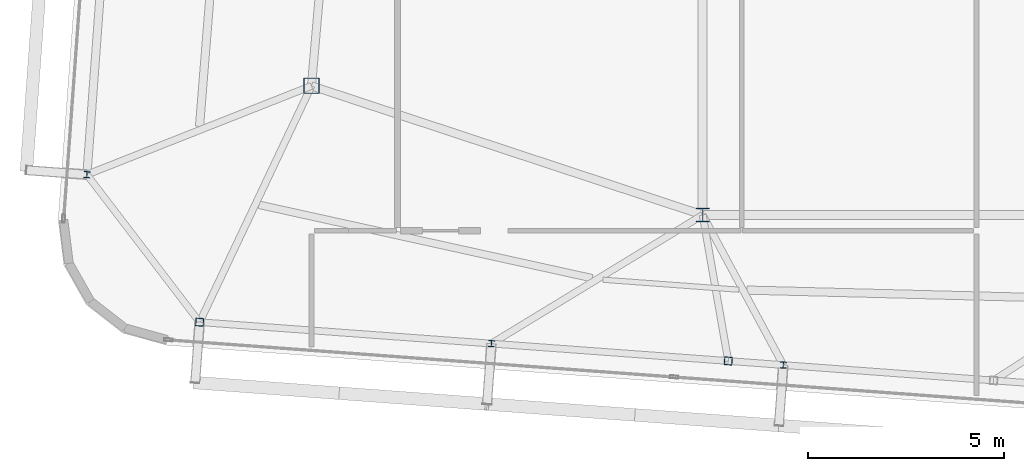
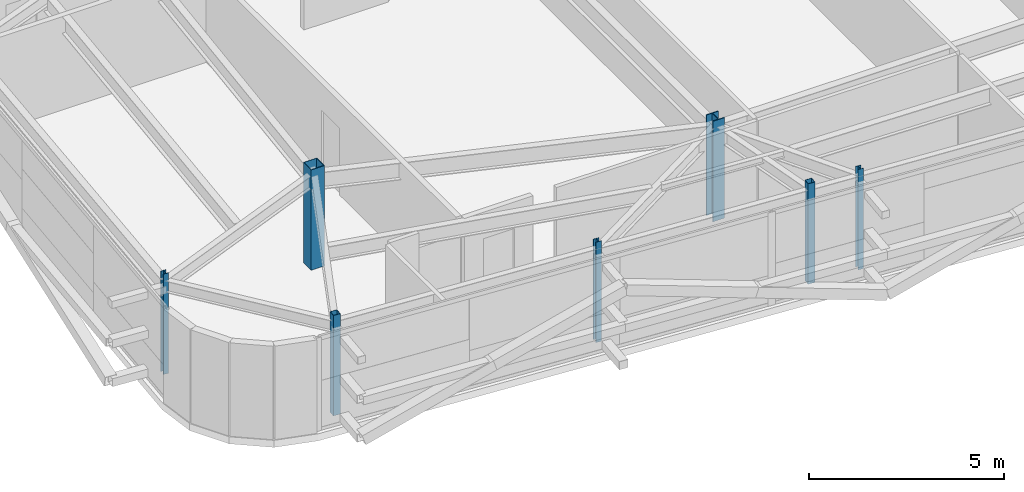
# One storey, part 1 of 34: 7 columns.
"""IFC4 building model written with IfcOpenShell, lengths in metres."""

import ifcopenshell
import ifcopenshell.guid

model = None  # the IFC model being written
_history = None  # IfcOwnerHistory: only IFC2X3 demands one
_inside = {}  # id of a spatial element -> (the spatial element, [elements in it])
_under = {}  # id of a project, library or spatial element -> (it, [spatial elements below it])
_declared = {}  # id of a project -> (the project, [libraries it declares])
_typed = {}  # id of a type object -> (the type object, [elements of that type])
_made_of = {}  # id of a material, layer set ... -> (it, [elements and type objects made of it])


def new_model(schema):
    """Start an empty IFC model of exactly this schema.

    Asked for "IFC4X3", IfcOpenShell would pick the latest addendum, in which some entities
    have other attributes; the version numbers below select the first issue.
    IFC2X3 requires an IfcOwnerHistory on every rooted entity: one is made here for all.
    """
    global model, _history
    if schema == "IFC4X3":
        model = ifcopenshell.file(schema_version=(4, 3, 0, 0))
    else:
        model = ifcopenshell.file(schema=schema)
    _inside.clear()
    _under.clear()
    _declared.clear()
    _typed.clear()
    _made_of.clear()
    _history = None
    if model.schema == "IFC2X3":
        org = make("IfcOrganization", Name="unknown")
        user = make(
            "IfcPersonAndOrganization",
            ThePerson=make("IfcPerson", FamilyName="unknown"),
            TheOrganization=org,
        )
        app = make(
            "IfcApplication",
            ApplicationDeveloper=org,
            Version="unknown",
            ApplicationFullName="unknown",
            ApplicationIdentifier="unknown",
        )
        _history = make(
            "IfcOwnerHistory",
            OwningUser=user,
            OwningApplication=app,
            ChangeAction="ADDED",
            CreationDate=0,
        )
    return model


def make(cls, **values):
    """One entity of the class cls with the attributes given. An attribute that is None is left unset."""
    return model.create_entity(
        cls, **{name: value for name, value in values.items() if value is not None}
    )


def rooted(cls, **values):
    """An entity with a GlobalId (a new one), such as an element, a storey or a relation."""
    return make(cls, GlobalId=ifcopenshell.guid.new(), OwnerHistory=_history, **values)


def si_unit(unit_type, name, prefix=None):
    """IfcSIUnit, for example si_unit("LENGTHUNIT", "METRE", prefix="MILLI")."""
    return make("IfcSIUnit", UnitType=unit_type, Prefix=prefix, Name=name)


def assignment(units):
    """IfcUnitAssignment: the units of a project."""
    return None if units is None else make("IfcUnitAssignment", Units=units)


def point(xyz):
    """IfcCartesianPoint."""
    return None if xyz is None else make("IfcCartesianPoint", Coordinates=xyz)


def direction(xyz):
    """IfcDirection."""
    return None if xyz is None else make("IfcDirection", DirectionRatios=xyz)


def frame(location, z_axis=None, x_axis=None):
    """IfcAxis2Placement3D, a coordinate frame: its origin and axes. An axis left out is left unset."""
    return make(
        "IfcAxis2Placement3D",
        Location=point(location),
        Axis=direction(z_axis),
        RefDirection=direction(x_axis),
    )


def frame_2d(location, x_axis=None):
    """IfcAxis2Placement2D, a coordinate frame in the plane: its origin and x axis."""
    return make(
        "IfcAxis2Placement2D", Location=point(location), RefDirection=direction(x_axis)
    )


def origin():
    """The frame at (0, 0, 0) with its axes left unset."""
    return frame((0.0, 0.0, 0.0))


def origin_2d():
    """The frame at (0, 0) in the plane with its x axis left unset."""
    return frame_2d((0.0, 0.0))


def place(relative_to, where):
    """IfcLocalPlacement: puts the frame where relative to a parent placement (None: the world)."""
    return make(
        "IfcLocalPlacement", PlacementRelTo=relative_to, RelativePlacement=where
    )


def context(
    kind, dimensions, precision=None, world=None, true_north=None, identifier=None
):
    """IfcGeometricRepresentationContext, for example the 3D "Model" context."""
    return make(
        "IfcGeometricRepresentationContext",
        ContextIdentifier=identifier,
        ContextType=kind,
        CoordinateSpaceDimension=dimensions,
        Precision=precision,
        WorldCoordinateSystem=world,
        TrueNorth=true_north,
    )


def subcontext(parent, identifier, kind, view, scale=None):
    """IfcGeometricRepresentationSubContext, for example "Body" below "Model"."""
    return make(
        "IfcGeometricRepresentationSubContext",
        ContextIdentifier=identifier,
        ContextType=kind,
        ParentContext=parent,
        TargetScale=scale,
        TargetView=view,
    )


def project(units=None, contexts=None):
    """IfcProject with its units and contexts."""
    return rooted(
        "IfcProject",
        Name="project",
        RepresentationContexts=contexts,
        UnitsInContext=assignment(units),
    )


def spatial(cls, under=None, at=None, **own):
    """A site, building, storey or space (cls), placed at a placement, below another one or the project."""
    s = rooted(cls, ObjectPlacement=at, **own)
    if under is not None:
        _under.setdefault(under.id(), (under, []))[1].append(s)
    return s


def profile(cls, at=None, kind="AREA", **sizes):
    """A parametric profile (cls). Its sizes go by their IFC names, for example OverallWidth=200.0."""
    return make(cls, ProfileType=kind, Position=at, **sizes)


def hollow_rectangle(**sizes):
    """IfcRectangleHollowProfileDef."""
    return profile("IfcRectangleHollowProfileDef", **sizes)


def i_section(**sizes):
    """IfcIShapeProfileDef."""
    return profile("IfcIShapeProfileDef", **sizes)


def extrude(swept, where, along, depth):
    """IfcExtrudedAreaSolid: the profile swept, set in the frame where, extruded along a direction by depth."""
    return make(
        "IfcExtrudedAreaSolid",
        SweptArea=swept,
        Position=where,
        ExtrudedDirection=direction(along),
        Depth=depth,
    )


def shape(context_of_items, identifier, shape_type, items):
    """IfcShapeRepresentation: the items that make up one representation, for example the "Body"."""
    return make(
        "IfcShapeRepresentation",
        ContextOfItems=context_of_items,
        RepresentationIdentifier=identifier,
        RepresentationType=shape_type,
        Items=items,
    )


def source(mapping_origin, context_of_items, identifier, shape_type, items):
    """IfcRepresentationMap: a shape defined once, which mapped items show again and again."""
    return make(
        "IfcRepresentationMap",
        MappingOrigin=mapping_origin,
        MappedRepresentation=shape(context_of_items, identifier, shape_type, items),
    )


def transform(
    local_origin,
    x_axis=None,
    y_axis=None,
    z_axis=None,
    scale=None,
    scale2=None,
    scale3=None,
    uniform=True,
):
    """IfcCartesianTransformationOperator3D, or its non-uniform kind. x_axis, y_axis, z_axis: its Axis1, 2, 3."""
    if uniform:
        return make(
            "IfcCartesianTransformationOperator3D",
            Axis1=direction(x_axis),
            Axis2=direction(y_axis),
            LocalOrigin=point(local_origin),
            Scale=scale,
            Axis3=direction(z_axis),
        )
    return make(
        "IfcCartesianTransformationOperator3DnonUniform",
        Axis1=direction(x_axis),
        Axis2=direction(y_axis),
        LocalOrigin=point(local_origin),
        Scale=scale,
        Axis3=direction(z_axis),
        Scale2=scale2,
        Scale3=scale3,
    )


def mapped(mapping_source, mapping_target):
    """IfcMappedItem: shows the shape of a source again, moved by a transform."""
    return make(
        "IfcMappedItem", MappingSource=mapping_source, MappingTarget=mapping_target
    )


def material(Name=None, Category=None):
    """IfcMaterial."""
    return make("IfcMaterial", Name=Name, Category=Category)


def material_profile(
    of_material, cross_section, Name=None, Category=None, Priority=None
):
    """IfcMaterialProfile: a cross section and its material."""
    return make(
        "IfcMaterialProfile",
        Name=Name,
        Material=of_material,
        Profile=cross_section,
        Priority=Priority,
        Category=Category,
    )


def profile_set(profiles, Name=None, composite=None):
    """IfcMaterialProfileSet."""
    return make(
        "IfcMaterialProfileSet",
        Name=Name,
        MaterialProfiles=profiles,
        CompositeProfile=composite,
    )


def made_of(thing, what):
    """Note that an element or type object is made of a material, layer set ...; save() writes the relation."""
    if what is not None:
        _made_of.setdefault(what.id(), (what, []))[1].append(thing)
    return thing


def type_object(cls, material=None, **own):
    """A type object (cls), such as IfcWallType, which elements share."""
    return made_of(rooted(cls, **own), material)


def element(
    cls,
    number,
    at=None,
    inside=None,
    cuts=None,
    type_object=None,
    material=None,
    context=None,
    identifier="Body",
    shape_type=None,
    held_by="IfcProductDefinitionShape",
    body=None,
    shapes=None,
    **own,
):
    """One element of the class cls, such as IfcWall. Its Tag is "e" and its number.

    at: its placement. inside: the storey or other place that contains it. cuts: it is an
    opening in that element (IfcRelVoidsElement). A single representation is given by context,
    identifier, shape_type and body (its items); several are given by shapes. held_by: the class
    of the entity that holds the representations. save() writes the other relations.
    """
    e = rooted(cls, Tag="e%d" % number, ObjectPlacement=at, **own)
    if body is not None:
        shapes = [shape(context, identifier, shape_type, body)]
    if shapes is not None:
        e.Representation = make(held_by, Representations=shapes)
    if inside is not None:
        _inside.setdefault(inside.id(), (inside, []))[1].append(e)
    if cuts is not None:
        rooted(
            "IfcRelVoidsElement", RelatingBuildingElement=cuts, RelatedOpeningElement=e
        )
    if type_object is not None:
        _typed.setdefault(type_object.id(), (type_object, []))[1].append(e)
    return made_of(e, material)


def aggregate(whole, parts):
    """IfcRelAggregates: a whole, such as a stair, and the parts it consists of."""
    return rooted("IfcRelAggregates", RelatingObject=whole, RelatedObjects=parts)


def save(model, path):
    """Write the relations noted so far, then the file.

    IfcRelAggregates (storeys below a building ...), IfcRelContainedInSpatialStructure (elements
    in a storey), IfcRelDefinesByType, IfcRelAssociatesMaterial and IfcRelDeclares: one each for
    every whole, place, type object, material and project.
    """
    for whole, parts in _under.values():
        aggregate(whole, parts)
    for where, things in _inside.values():
        rooted(
            "IfcRelContainedInSpatialStructure",
            RelatedElements=things,
            RelatingStructure=where,
        )
    for kind, things in _typed.values():
        rooted("IfcRelDefinesByType", RelatedObjects=things, RelatingType=kind)
    for what, things in _made_of.values():
        rooted("IfcRelAssociatesMaterial", RelatedObjects=things, RelatingMaterial=what)
    for by, libraries in _declared.values():
        rooted("IfcRelDeclares", RelatingContext=by, RelatedDefinitions=libraries)
    model.write(path)


model = new_model("IFC4")

# Units and contexts
model_context = context("Model", 3, precision=1e-05, world=origin(), true_north=direction((0.0, 1.0)))
body_context = subcontext(model_context, "Body", "Model", "MODEL_VIEW")
ifc_project = project(units=[si_unit("LENGTHUNIT", "METRE"), si_unit("AREAUNIT", "SQUARE_METRE"), si_unit("VOLUMEUNIT", "CUBIC_METRE"), si_unit("PLANEANGLEUNIT", "RADIAN"), si_unit("MASSUNIT", "GRAM", prefix="KILO")], contexts=[model_context])

# Site, building, storey
site_placement = place(None, origin())
site = spatial("IfcSite", under=ifc_project, at=site_placement, CompositionType="ELEMENT")
building_placement = place(site_placement, origin())
building = spatial("IfcBuilding", under=site, at=building_placement, Name="Taldren Reach Tower", CompositionType="ELEMENT")
storey_placement = place(building_placement, frame((0.0, 0.0, 242.89990234375)))
storey = spatial("IfcBuildingStorey", under=building, at=storey_placement, Name="L74", CompositionType="ELEMENT", Elevation=242.89990234375)

# Columns
ifc_material_1 = material(Name="Steel Gr 350 (350PLUS)", Category="steel")
ifc_material_profile_1 = material_profile(ifc_material_1, i_section(OverallWidth=0.35009765625, OverallDepth=0.35595703125, WebThickness=0.01806640625, FlangeThickness=0.028076171875, at=origin_2d()), Name="350WC197")
ifc_profile_set_1 = profile_set([ifc_material_profile_1], Name="Steel Gr 350 (350PLUS)")
column_type_1 = type_object("IfcColumnType", Name="COL-WC350", PredefinedType="COLUMN", material=ifc_profile_set_1)
shared_shape_1 = source(origin(), body_context, "Body", "SweptSolid", [
    extrude(i_section(OverallWidth=0.35009765625, OverallDepth=0.35595703125, WebThickness=0.01806640625, FlangeThickness=0.028076171875, at=origin_2d()), origin(), (0.0, 0.0, 1.0), 3.150146484375),
])
column_1_placement = place(storey_placement, frame((28.0, 9.199951171875, 0.0), z_axis=(0.0, 0.0, 1.0), x_axis=(1.0, 0.0, 0.0)))
element("IfcColumn", 1, at=column_1_placement, inside=storey, type_object=column_type_1, Name="Mega column MC-PJW L74", PredefinedType="COLUMN", context=body_context, shape_type="MappedRepresentation", body=[
    mapped(shared_shape_1, transform((0.0, 0.0, 0.0), scale=1.0)),
])
ifc_material_2 = material(Name="Steel Gr 450 (C450L0)", Category="steel")
ifc_material_profile_2 = material_profile(ifc_material_2, hollow_rectangle(XDim=0.39990234375, YDim=0.39990234375, WallThickness=0.01611328125, at=origin_2d()), Name="400x400x16.0SHS")
ifc_profile_set_2 = profile_set([ifc_material_profile_2], Name="Steel Gr 450 (C450L0)")
column_type_2 = type_object("IfcColumnType", Name="COL-SHS400", PredefinedType="COLUMN", material=ifc_profile_set_2)
shared_shape_2 = source(origin(), body_context, "Body", "SweptSolid", [
    extrude(hollow_rectangle(XDim=0.39990234375, YDim=0.39990234375, WallThickness=0.01611328125, at=origin_2d()), origin(), (0.0, 0.0, 1.0), 3.150146484375),
])
column_2_placement = place(storey_placement, frame((18.0, 12.5, 0.0), z_axis=(0.0, 0.0, 1.0), x_axis=(1.0, 0.0, 0.0)))
element("IfcColumn", 2, at=column_2_placement, inside=storey, type_object=column_type_2, Name="Mega column MC-SW L74", PredefinedType="COLUMN", context=body_context, shape_type="MappedRepresentation", body=[
    mapped(shared_shape_2, transform((0.0, 0.0, 0.0), scale=1.0)),
])
ifc_material_3 = material(Name="Steel Gr 350 (C350L0)", Category="steel")
ifc_material_profile_3 = material_profile(ifc_material_3, hollow_rectangle(XDim=0.199951171875, YDim=0.199951171875, WallThickness=0.009033203125, at=origin_2d()), Name="200x200x9.0SHS")
ifc_profile_set_3 = profile_set([ifc_material_profile_3], Name="Steel Gr 350 (C350L0)")
column_type_3 = type_object("IfcColumnType", Name="COL-SHS200", PredefinedType="COLUMN", material=ifc_profile_set_3)
shared_shape_3 = source(origin(), body_context, "Body", "SweptSolid", [
    extrude(hollow_rectangle(XDim=0.199951171875, YDim=0.199951171875, WallThickness=0.009033203125, at=origin_2d()), origin(), (0.0, 0.0, 1.0), 3.150146484375),
])
for number, where, z_axis, x_axis, name in (
    (3, (15.140625, 6.460205078125, 0.0), (0.0, 0.0, 1.0), (0.997314477224, -0.073238197128, 0.0), "Block B5 perimeter column S1 L74"),
    (4, (28.654296875, 5.4677734375, 0.0), (0.0, 0.0, 1.0), (0.997314477224, -0.073238197128, 0.0), "Block B5 perimeter column PJ1 L74"),
):
    element("IfcColumn", number, at=place(storey_placement, frame(where, z_axis=z_axis, x_axis=x_axis)), inside=storey, type_object=column_type_3, Name=name, PredefinedType="COLUMN", context=body_context, shape_type="MappedRepresentation", body=[
        mapped(shared_shape_3, transform((0.0, 0.0, 0.0), scale=1.0)),
    ])
ifc_material_profile_4 = material_profile(ifc_material_1, i_section(OverallWidth=0.154052734375, OverallDepth=0.162109375, WebThickness=0.008056640625, FlangeThickness=0.011474609375, at=origin_2d()), Name="150UC37.2")
ifc_profile_set_4 = profile_set([ifc_material_profile_4], Name="Steel Gr 350 (350PLUS)")
column_type_4 = type_object("IfcColumnType", Name="COL-UC150", PredefinedType="COLUMN", material=ifc_profile_set_4)
shared_shape_4 = source(origin(), body_context, "Body", "SweptSolid", [
    extrude(i_section(OverallWidth=0.154052734375, OverallDepth=0.162109375, WebThickness=0.008056640625, FlangeThickness=0.011474609375, at=origin_2d()), origin(), (0.0, 0.0, 1.0), 3.150146484375),
])
for number, where, z_axis, x_axis, name in (
    (5, (22.6005859375, 5.912353515625, 0.0), (0.0, 0.0, 1.0), (0.997314477224, -0.073238197128, 0.0), "Block B5 perimeter column S2 L74"),
    (6, (30.060546875, 5.364501953125, 0.0), (0.0, 0.0, 1.0), (0.997314477224, -0.073238197128, 0.0), "Block B5 perimeter column S3 L74"),
    (7, (12.259033203125, 10.2314453125, 0.0), (0.0, 0.0, 1.0), (0.997314477224, -0.073238197128, 0.0), "Block B5 perimeter column W1 L74"),
):
    element("IfcColumn", number, at=place(storey_placement, frame(where, z_axis=z_axis, x_axis=x_axis)), inside=storey, type_object=column_type_4, Name=name, PredefinedType="COLUMN", context=body_context, shape_type="MappedRepresentation", body=[
        mapped(shared_shape_4, transform((0.0, 0.0, 0.0), scale=1.0)),
    ])

save(model, "model.ifc")
